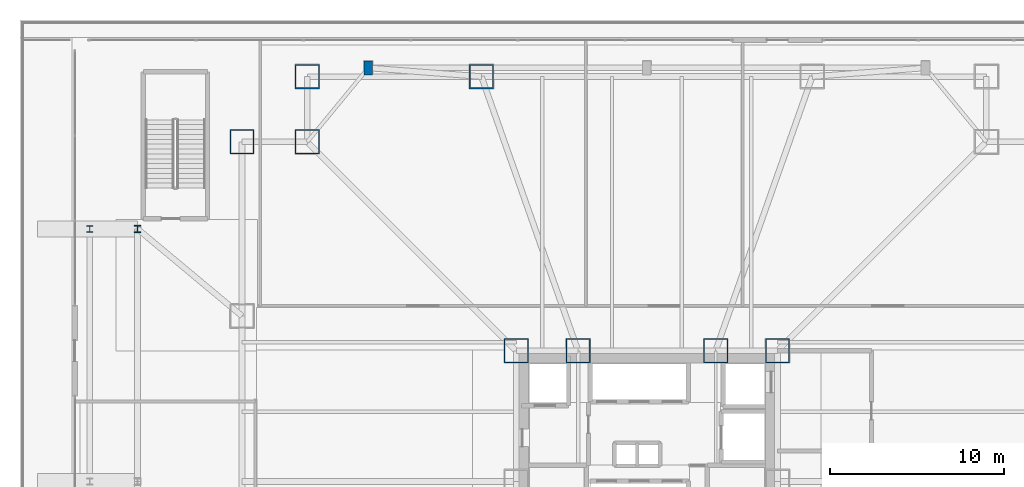
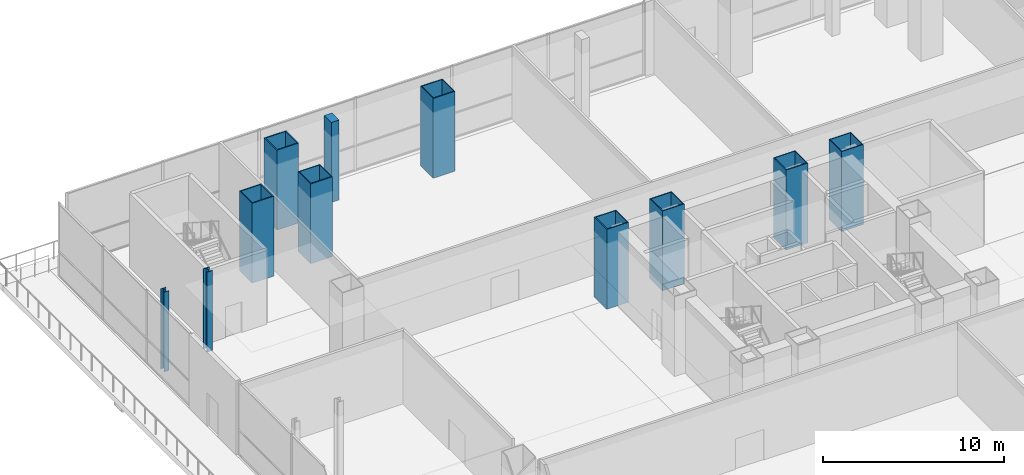
# One storey, part 3 of 36: 11 columns.
"""IFC4 building model written with IfcOpenShell, lengths in metres."""

from ifc_helpers import new_model, si_unit, direction, frame, origin, origin_2d, place, context, subcontext, project, spatial, rectangle, hollow_rectangle, i_section, extrude, material, material_profile, profile_set, type_object, element, save


model = new_model("IFC4")

# Units and contexts
model_context = context("Model", 3, precision=1e-05, world=origin(), true_north=direction((0.0, 1.0)))
body_context = subcontext(model_context, "Body", "Model", "MODEL_VIEW")
ifc_project = project(units=[si_unit("LENGTHUNIT", "METRE"), si_unit("AREAUNIT", "SQUARE_METRE"), si_unit("VOLUMEUNIT", "CUBIC_METRE"), si_unit("PLANEANGLEUNIT", "RADIAN"), si_unit("MASSUNIT", "GRAM", prefix="KILO")], contexts=[model_context])

# Site, building, storey
site_placement = place(None, origin())
site = spatial("IfcSite", under=ifc_project, at=site_placement, CompositionType="ELEMENT")
building_placement = place(site_placement, origin())
building = spatial("IfcBuilding", under=site, at=building_placement, Name="Trevonay Congress Spire", CompositionType="ELEMENT")
storey_placement = place(building_placement, frame((0.0, 0.0, 16.199951171875)))
storey = spatial("IfcBuildingStorey", under=building, at=storey_placement, Name="L03", CompositionType="ELEMENT", Elevation=16.199951171875)

# Columns
ifc_material_1 = material(Name="Steel ASTM A572 Grade 50", Category="steel")
ifc_material_profile_1 = material_profile(ifc_material_1, hollow_rectangle(XDim=1.39990234375, YDim=1.39990234375, WallThickness=0.06005859375, at=origin_2d()), Name="BOX 1400x1400x60")
ifc_profile_set_1 = profile_set([ifc_material_profile_1], Name="Steel ASTM A572 Grade 50")
column_type_1 = type_object("IfcColumnType", Name="COL-CORE-BOX1400", PredefinedType="COLUMN", material=ifc_profile_set_1)
for number, where, z_axis, x_axis, name in (
    (1, (7.5, 7.5, 0.0), (0.0, 0.0, 1.0), (1.0, 0.0, 0.0), "L03 column C01 at CC-NE"),
    (2, (3.949951171875, 7.5, 0.0), (0.0, 0.0, 1.0), (1.0, 0.0, 0.0), "L03 column C01 at CC-NME"),
    (3, (-3.949951171875, 7.5, 0.0), (0.0, 0.0, 1.0), (1.0, 0.0, 0.0), "L03 column C01 at CC-NMW"),
    (4, (-7.5, 7.5, 0.0), (0.0, 0.0, 1.0), (1.0, 0.0, 0.0), "L03 column C01 at CC-NW"),
    (5, (-19.5, 23.25, 0.0), (0.0, 0.0, 1.0), (1.0, 0.0, 0.0), "L03 column C01 at TM-N1"),
    (6, (-9.5, 23.25, 0.0), (0.0, 0.0, 1.0), (1.0, 0.0, 0.0), "L03 column C01 at TM-N2"),
    (7, (-23.25, 19.5, 0.0), (0.0, 0.0, 1.0), (1.0, 0.0, 0.0), "L03 column C01 at TM-W6"),
    (8, (-19.5, 19.5, 0.0), (0.0, 0.0, 1.0), (1.0, 0.0, 0.0), "L03 column C01 at TM-CNW"),
):
    element("IfcColumn", number, at=place(storey_placement, frame(where, z_axis=z_axis, x_axis=x_axis)), inside=storey, type_object=column_type_1, Name=name, PredefinedType="COLUMN", context=body_context, shape_type="SweptSolid", body=[
        extrude(hollow_rectangle(XDim=1.39990234375, YDim=1.39990234375, WallThickness=0.06005859375, at=origin_2d()), origin(), (0.0, 0.0, 1.0), 5.400146484375),
    ])
ifc_material_2 = material(Name="Concrete C60/75", Category="concrete")
ifc_material_profile_2 = material_profile(ifc_material_2, rectangle(XDim=0.5, YDim=0.800048828125, at=origin_2d()), Name="RC 800x500")
ifc_profile_set_2 = profile_set([ifc_material_profile_2], Name="Concrete C60/75")
column_type_2 = type_object("IfcColumnType", Name="COL-PIL-RC800X500", PredefinedType="PILASTER", material=ifc_profile_set_2)
column_1_placement = place(storey_placement, frame((-16.0, 23.75, 0.0), z_axis=(0.0, 0.0, 1.0), x_axis=(1.0, 0.0, 0.0)))
element("IfcColumn", 9, at=column_1_placement, inside=storey, type_object=column_type_2, Name="L03 column C13 at PN-1", PredefinedType="PILASTER", context=body_context, shape_type="SweptSolid", body=[
    extrude(rectangle(XDim=0.5, YDim=0.800048828125, at=origin_2d()), origin(), (0.0, 0.0, 1.0), 5.400146484375),
])
ifc_material_profile_3 = material_profile(ifc_material_1, i_section(OverallWidth=0.367919921875, OverallDepth=0.425048828125, WebThickness=0.02978515625, FlangeThickness=0.047607421875, FilletRadius=0.02001953125, at=origin_2d()), Name="W360x421")
ifc_profile_set_3 = profile_set([ifc_material_profile_3], Name="Steel ASTM A572 Grade 50")
column_type_3 = type_object("IfcColumnType", Name="COL-POD-W360X421", PredefinedType="COLUMN", material=ifc_profile_set_3)
column_2_placement = place(storey_placement, frame((-29.25, 14.5, 0.0), z_axis=(0.0, 0.0, 1.0), x_axis=(1.0, 0.0, 0.0)))
element("IfcColumn", 10, at=column_2_placement, inside=storey, type_object=column_type_3, Name="L03 column C08 at PW-3", PredefinedType="COLUMN", context=body_context, shape_type="SweptSolid", body=[
    extrude(i_section(OverallWidth=0.367919921875, OverallDepth=0.425048828125, WebThickness=0.02978515625, FlangeThickness=0.047607421875, FilletRadius=0.02001953125, at=origin_2d()), origin(), (0.0, 0.0, 1.0), 5.400146484375),
])
ifc_material_profile_4 = material_profile(ifc_material_1, i_section(OverallWidth=0.330078125, OverallDepth=0.3798828125, WebThickness=0.016845703125, FlangeThickness=0.027587890625, FilletRadius=0.02001953125, at=origin_2d()), Name="W360x237")
ifc_profile_set_4 = profile_set([ifc_material_profile_4], Name="Steel ASTM A572 Grade 50")
column_type_4 = type_object("IfcColumnType", Name="COL-STEP-W360X237", PredefinedType="COLUMN", material=ifc_profile_set_4)
column_3_placement = place(storey_placement, frame((-32.0, 14.5, -0.39990234375), z_axis=(0.0, 0.0, 1.0), x_axis=(1.0, 0.0, 0.0)))
element("IfcColumn", 11, at=column_3_placement, inside=storey, type_object=column_type_4, Name="L03 column C11 at SW-3", PredefinedType="COLUMN", context=body_context, shape_type="SweptSolid", body=[
    extrude(i_section(OverallWidth=0.330078125, OverallDepth=0.3798828125, WebThickness=0.016845703125, FlangeThickness=0.027587890625, FilletRadius=0.02001953125, at=origin_2d()), origin(), (0.0, 0.0, 1.0), 5.39990234375),
])

save(model, "model.ifc")
